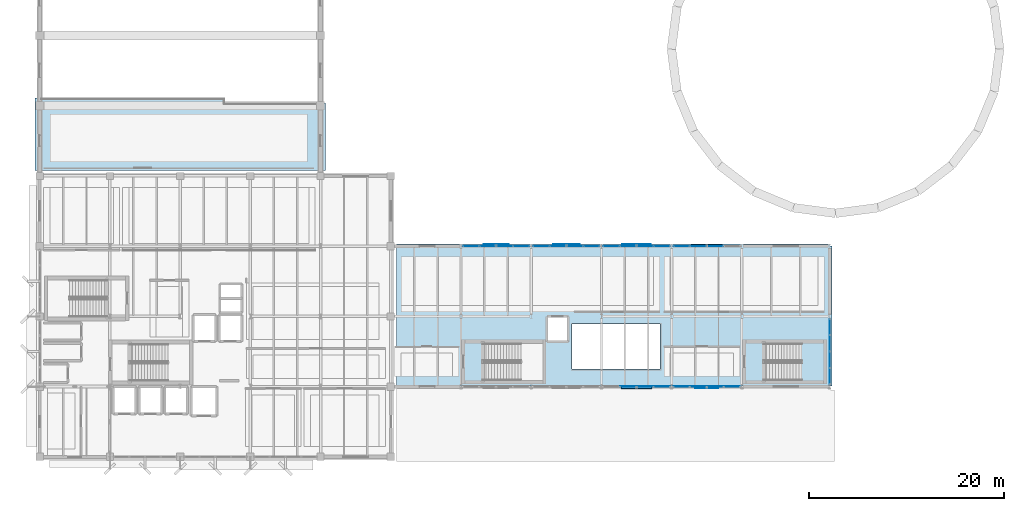
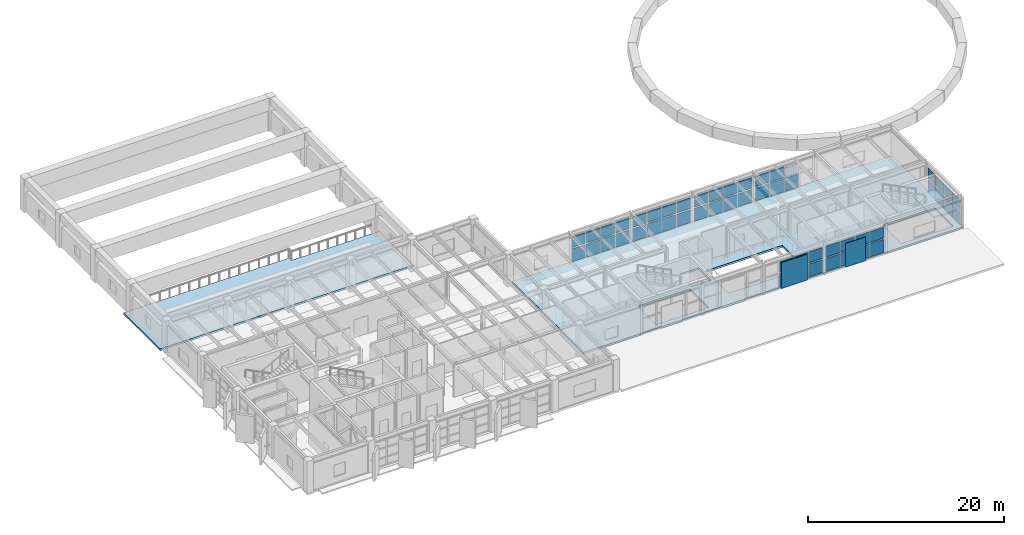
# One storey, part 24 of 37: 57 plates, 3 slabs, 8 elements without a shape of their own.
"""IFC4 building model written with IfcOpenShell, lengths in metres."""

from ifc_helpers import new_model, si_unit, direction, frame, origin, origin_2d, place, context, subcontext, project, spatial, polyline, rectangle, outline, extrude, material, layer, layer_set, type_object, element, aggregate, save


model = new_model("IFC4")

# Units and contexts
model_context = context("Model", 3, precision=1e-05, world=origin(), true_north=direction((0.0, 1.0)))
body_context = subcontext(model_context, "Body", "Model", "MODEL_VIEW")
ifc_project = project(units=[si_unit("LENGTHUNIT", "METRE"), si_unit("AREAUNIT", "SQUARE_METRE"), si_unit("VOLUMEUNIT", "CUBIC_METRE"), si_unit("PLANEANGLEUNIT", "RADIAN"), si_unit("MASSUNIT", "GRAM", prefix="KILO")], contexts=[model_context])

# Site, building, storey
site_placement = place(None, origin())
site = spatial("IfcSite", under=ifc_project, at=site_placement, CompositionType="ELEMENT")
building_placement = place(site_placement, origin())
building = spatial("IfcBuilding", under=site, at=building_placement, Name="Kandorven Conservatory and Botanical Research Centre", CompositionType="ELEMENT")
storey_placement = place(building_placement, frame((0.0, 0.0, 9.0)))
storey = spatial("IfcBuildingStorey", under=building, at=storey_placement, Name="L02", CompositionType="ELEMENT", Elevation=9.0)

# Curtain wall, plates
ifc_material_1 = material(Name="Bronze anodised thermally broken aluminium", Category="aluminium")
ifc_layer_1 = layer(ifc_material_1, 0.179931640625)
ifc_layer_set_1 = layer_set([ifc_layer_1], Name="Bronze anodised thermally broken aluminium")
curtain_wall_type = type_object("IfcCurtainWallType", Name="CW_Unitised", PredefinedType="USERDEFINED", material=ifc_layer_set_1)
curtain_wall_1_placement = place(storey_placement, origin())
curtain_wall_1 = element("IfcCurtainWall", 1, at=curtain_wall_1_placement, inside=storey, type_object=curtain_wall_type, Name="Visitor wing unitised curtain wall CW-VIS-S-L02-4", ObjectType="UNITISED GLAZING", PredefinedType="USERDEFINED")
ifc_material_2 = material(Name="Double-glazed solar-control low-E glass", Category="glass")
ifc_layer_2 = layer(ifc_material_2, 0.028076171875)
ifc_layer_set_2 = layer_set([ifc_layer_2], Name="Double-glazed solar-control low-E glass")
plate_type_1 = type_object("IfcPlateType", Name="CW_Panel", PredefinedType="CURTAIN_PANEL", material=ifc_layer_set_2)
plate_1_placement = place(storey_placement, frame((66.331298828125, 13.199951171875, 0.14990234375), z_axis=(0.0, 0.0, 1.0), x_axis=(1.0, 0.0, 0.0)))
plate_1 = element("IfcPlate", 2, at=plate_1_placement, type_object=plate_type_1, Name="CW-01 panel 2.1", PredefinedType="CURTAIN_PANEL", context=body_context, shape_type="SweptSolid", body=[
    extrude(rectangle(XDim=1.657470703125, YDim=0.028076171875, at=origin_2d()), origin(), (0.0, 0.0, 1.0), 1.625),
])
plate_2_placement = place(storey_placement, frame((66.331298828125, 13.199951171875, 1.9248046875), z_axis=(0.0, 0.0, 1.0), x_axis=(1.0, 0.0, 0.0)))
plate_2 = element("IfcPlate", 3, at=plate_2_placement, type_object=plate_type_1, Name="CW-01 panel 2.2", PredefinedType="CURTAIN_PANEL", context=body_context, shape_type="SweptSolid", body=[
    extrude(rectangle(XDim=1.657470703125, YDim=0.028076171875, at=origin_2d()), origin(), (0.0, 0.0, 1.0), 1.344970703125),
])
plate_3_placement = place(storey_placement, frame((68.06884765625, 13.199951171875, 0.14990234375), z_axis=(0.0, 0.0, 1.0), x_axis=(1.0, 0.0, 0.0)))
plate_3 = element("IfcPlate", 4, at=plate_3_placement, type_object=plate_type_1, Name="CW-01 panel 3.1", PredefinedType="CURTAIN_PANEL", context=body_context, shape_type="SweptSolid", body=[
    extrude(rectangle(XDim=1.657470703125, YDim=0.028076171875, at=origin_2d()), origin(), (0.0, 0.0, 1.0), 1.625),
])
plate_4_placement = place(storey_placement, frame((68.06884765625, 13.199951171875, 1.9248046875), z_axis=(0.0, 0.0, 1.0), x_axis=(1.0, 0.0, 0.0)))
plate_4 = element("IfcPlate", 5, at=plate_4_placement, type_object=plate_type_1, Name="CW-01 panel 3.2", PredefinedType="CURTAIN_PANEL", context=body_context, shape_type="SweptSolid", body=[
    extrude(rectangle(XDim=1.657470703125, YDim=0.028076171875, at=origin_2d()), origin(), (0.0, 0.0, 1.0), 1.344970703125),
])
plate_5_placement = place(storey_placement, frame((69.7861328125, 13.199951171875, 0.14990234375), z_axis=(0.0, 0.0, 1.0), x_axis=(1.0, 0.0, 0.0)))
plate_5 = element("IfcPlate", 6, at=plate_5_placement, type_object=plate_type_1, Name="CW-01 panel 4.1", PredefinedType="CURTAIN_PANEL", context=body_context, shape_type="SweptSolid", body=[
    extrude(rectangle(XDim=1.617431640625, YDim=0.028076171875, at=origin_2d()), origin(), (0.0, 0.0, 1.0), 1.625),
])
plate_6_placement = place(storey_placement, frame((69.7861328125, 13.199951171875, 1.9248046875), z_axis=(0.0, 0.0, 1.0), x_axis=(1.0, 0.0, 0.0)))
plate_6 = element("IfcPlate", 7, at=plate_6_placement, type_object=plate_type_1, Name="CW-01 panel 4.2", PredefinedType="CURTAIN_PANEL", context=body_context, shape_type="SweptSolid", body=[
    extrude(rectangle(XDim=1.617431640625, YDim=0.028076171875, at=origin_2d()), origin(), (0.0, 0.0, 1.0), 1.344970703125),
])
aggregate(curtain_wall_1, [plate_1, plate_2, plate_3, plate_4, plate_5, plate_6])

curtain_wall_2_placement = place(storey_placement, origin())
curtain_wall_2 = element("IfcCurtainWall", 8, at=curtain_wall_2_placement, inside=storey, type_object=curtain_wall_type, Name="Visitor wing unitised curtain wall CW-VIS-S-L02-5", ObjectType="UNITISED GLAZING", PredefinedType="USERDEFINED")
plate_7_placement = place(storey_placement, frame((71.813720703125, 13.199951171875, 0.14990234375), z_axis=(0.0, 0.0, 1.0), x_axis=(1.0, 0.0, 0.0)))
plate_7 = element("IfcPlate", 9, at=plate_7_placement, type_object=plate_type_1, Name="CW-01 panel 1.1", PredefinedType="CURTAIN_PANEL", context=body_context, shape_type="SweptSolid", body=[
    extrude(rectangle(XDim=1.617431640625, YDim=0.028076171875, at=origin_2d()), origin(), (0.0, 0.0, 1.0), 1.625),
])
plate_8_placement = place(storey_placement, frame((71.813720703125, 13.199951171875, 1.9248046875), z_axis=(0.0, 0.0, 1.0), x_axis=(1.0, 0.0, 0.0)))
plate_8 = element("IfcPlate", 10, at=plate_8_placement, type_object=plate_type_1, Name="CW-01 panel 1.2", PredefinedType="CURTAIN_PANEL", context=body_context, shape_type="SweptSolid", body=[
    extrude(rectangle(XDim=1.617431640625, YDim=0.028076171875, at=origin_2d()), origin(), (0.0, 0.0, 1.0), 1.344970703125),
])
plate_9_placement = place(storey_placement, frame((73.53125, 13.199951171875, 0.14990234375), z_axis=(0.0, 0.0, 1.0), x_axis=(1.0, 0.0, 0.0)))
plate_9 = element("IfcPlate", 11, at=plate_9_placement, type_object=plate_type_1, Name="CW-01 panel 2.1", PredefinedType="CURTAIN_PANEL", context=body_context, shape_type="SweptSolid", body=[
    extrude(rectangle(XDim=1.657470703125, YDim=0.028076171875, at=origin_2d()), origin(), (0.0, 0.0, 1.0), 1.625),
])
plate_10_placement = place(storey_placement, frame((73.53125, 13.199951171875, 1.9248046875), z_axis=(0.0, 0.0, 1.0), x_axis=(1.0, 0.0, 0.0)))
plate_10 = element("IfcPlate", 12, at=plate_10_placement, type_object=plate_type_1, Name="CW-01 panel 2.2", PredefinedType="CURTAIN_PANEL", context=body_context, shape_type="SweptSolid", body=[
    extrude(rectangle(XDim=1.657470703125, YDim=0.028076171875, at=origin_2d()), origin(), (0.0, 0.0, 1.0), 1.344970703125),
])
plate_11_placement = place(storey_placement, frame((75.268798828125, 13.199951171875, 0.14990234375), z_axis=(0.0, 0.0, 1.0), x_axis=(1.0, 0.0, 0.0)))
plate_11 = element("IfcPlate", 13, at=plate_11_placement, type_object=plate_type_1, Name="CW-01 panel 3.1", PredefinedType="CURTAIN_PANEL", context=body_context, shape_type="SweptSolid", body=[
    extrude(rectangle(XDim=1.657470703125, YDim=0.028076171875, at=origin_2d()), origin(), (0.0, 0.0, 1.0), 1.625),
])
plate_12_placement = place(storey_placement, frame((75.268798828125, 13.199951171875, 1.9248046875), z_axis=(0.0, 0.0, 1.0), x_axis=(1.0, 0.0, 0.0)))
plate_12 = element("IfcPlate", 14, at=plate_12_placement, type_object=plate_type_1, Name="CW-01 panel 3.2", PredefinedType="CURTAIN_PANEL", context=body_context, shape_type="SweptSolid", body=[
    extrude(rectangle(XDim=1.657470703125, YDim=0.028076171875, at=origin_2d()), origin(), (0.0, 0.0, 1.0), 1.344970703125),
])
plate_13_placement = place(storey_placement, frame((76.986328125, 13.199951171875, 0.14990234375), z_axis=(0.0, 0.0, 1.0), x_axis=(1.0, 0.0, 0.0)))
plate_13 = element("IfcPlate", 15, at=plate_13_placement, type_object=plate_type_1, Name="CW-01 panel 4.1", PredefinedType="CURTAIN_PANEL", context=body_context, shape_type="SweptSolid", body=[
    extrude(rectangle(XDim=1.617431640625, YDim=0.028076171875, at=origin_2d()), origin(), (0.0, 0.0, 1.0), 1.625),
])
plate_14_placement = place(storey_placement, frame((76.986328125, 13.199951171875, 1.9248046875), z_axis=(0.0, 0.0, 1.0), x_axis=(1.0, 0.0, 0.0)))
plate_14 = element("IfcPlate", 16, at=plate_14_placement, type_object=plate_type_1, Name="CW-01 panel 4.2", PredefinedType="CURTAIN_PANEL", context=body_context, shape_type="SweptSolid", body=[
    extrude(rectangle(XDim=1.617431640625, YDim=0.028076171875, at=origin_2d()), origin(), (0.0, 0.0, 1.0), 1.344970703125),
])
aggregate(curtain_wall_2, [plate_7, plate_8, plate_9, plate_10, plate_11, plate_12, plate_13, plate_14])

curtain_wall_3_placement = place(storey_placement, origin())
curtain_wall_3 = element("IfcCurtainWall", 17, at=curtain_wall_3_placement, inside=storey, type_object=curtain_wall_type, Name="Visitor wing unitised curtain wall CW-VIS-N-L02-2", ObjectType="UNITISED GLAZING", PredefinedType="USERDEFINED")
plate_15_placement = place(storey_placement, frame((50.2138671875, 27.60009765625, 0.14990234375), z_axis=(0.0, 0.0, 1.0), x_axis=(1.0, 0.0, 0.0)))
plate_15 = element("IfcPlate", 18, at=plate_15_placement, type_object=plate_type_1, Name="CW-01 panel 1.1", PredefinedType="CURTAIN_PANEL", context=body_context, shape_type="SweptSolid", body=[
    extrude(rectangle(XDim=1.617431640625, YDim=0.028076171875, at=origin_2d()), origin(), (0.0, 0.0, 1.0), 1.625),
])
plate_16_placement = place(storey_placement, frame((50.2138671875, 27.60009765625, 1.9248046875), z_axis=(0.0, 0.0, 1.0), x_axis=(1.0, 0.0, 0.0)))
plate_16 = element("IfcPlate", 19, at=plate_16_placement, type_object=plate_type_1, Name="CW-01 panel 1.2", PredefinedType="CURTAIN_PANEL", context=body_context, shape_type="SweptSolid", body=[
    extrude(rectangle(XDim=1.617431640625, YDim=0.028076171875, at=origin_2d()), origin(), (0.0, 0.0, 1.0), 1.344970703125),
])
plate_17_placement = place(storey_placement, frame((51.93115234375, 27.60009765625, 0.14990234375), z_axis=(0.0, 0.0, 1.0), x_axis=(1.0, 0.0, 0.0)))
plate_17 = element("IfcPlate", 20, at=plate_17_placement, type_object=plate_type_1, Name="CW-01 panel 2.1", PredefinedType="CURTAIN_PANEL", context=body_context, shape_type="SweptSolid", body=[
    extrude(rectangle(XDim=1.657470703125, YDim=0.028076171875, at=origin_2d()), origin(), (0.0, 0.0, 1.0), 1.625),
])
plate_18_placement = place(storey_placement, frame((51.93115234375, 27.60009765625, 1.9248046875), z_axis=(0.0, 0.0, 1.0), x_axis=(1.0, 0.0, 0.0)))
plate_18 = element("IfcPlate", 21, at=plate_18_placement, type_object=plate_type_1, Name="CW-01 panel 2.2", PredefinedType="CURTAIN_PANEL", context=body_context, shape_type="SweptSolid", body=[
    extrude(rectangle(XDim=1.657470703125, YDim=0.028076171875, at=origin_2d()), origin(), (0.0, 0.0, 1.0), 1.344970703125),
])
plate_19_placement = place(storey_placement, frame((53.668701171875, 27.60009765625, 0.14990234375), z_axis=(0.0, 0.0, 1.0), x_axis=(1.0, 0.0, 0.0)))
plate_19 = element("IfcPlate", 22, at=plate_19_placement, type_object=plate_type_1, Name="CW-01 panel 3.1", PredefinedType="CURTAIN_PANEL", context=body_context, shape_type="SweptSolid", body=[
    extrude(rectangle(XDim=1.657470703125, YDim=0.028076171875, at=origin_2d()), origin(), (0.0, 0.0, 1.0), 1.625),
])
plate_20_placement = place(storey_placement, frame((53.668701171875, 27.60009765625, 1.9248046875), z_axis=(0.0, 0.0, 1.0), x_axis=(1.0, 0.0, 0.0)))
plate_20 = element("IfcPlate", 23, at=plate_20_placement, type_object=plate_type_1, Name="CW-01 panel 3.2", PredefinedType="CURTAIN_PANEL", context=body_context, shape_type="SweptSolid", body=[
    extrude(rectangle(XDim=1.657470703125, YDim=0.028076171875, at=origin_2d()), origin(), (0.0, 0.0, 1.0), 1.344970703125),
])
plate_21_placement = place(storey_placement, frame((55.38623046875, 27.60009765625, 0.14990234375), z_axis=(0.0, 0.0, 1.0), x_axis=(1.0, 0.0, 0.0)))
plate_21 = element("IfcPlate", 24, at=plate_21_placement, type_object=plate_type_1, Name="CW-01 panel 4.1", PredefinedType="CURTAIN_PANEL", context=body_context, shape_type="SweptSolid", body=[
    extrude(rectangle(XDim=1.617431640625, YDim=0.028076171875, at=origin_2d()), origin(), (0.0, 0.0, 1.0), 1.625),
])
plate_22_placement = place(storey_placement, frame((55.38623046875, 27.60009765625, 1.9248046875), z_axis=(0.0, 0.0, 1.0), x_axis=(1.0, 0.0, 0.0)))
plate_22 = element("IfcPlate", 25, at=plate_22_placement, type_object=plate_type_1, Name="CW-01 panel 4.2", PredefinedType="CURTAIN_PANEL", context=body_context, shape_type="SweptSolid", body=[
    extrude(rectangle(XDim=1.617431640625, YDim=0.028076171875, at=origin_2d()), origin(), (0.0, 0.0, 1.0), 1.344970703125),
])
aggregate(curtain_wall_3, [plate_15, plate_16, plate_17, plate_18, plate_19, plate_20, plate_21, plate_22])

curtain_wall_4_placement = place(storey_placement, origin())
curtain_wall_4 = element("IfcCurtainWall", 26, at=curtain_wall_4_placement, inside=storey, type_object=curtain_wall_type, Name="Visitor wing unitised curtain wall CW-VIS-N-L02-3", ObjectType="UNITISED GLAZING", PredefinedType="USERDEFINED")
plate_23_placement = place(storey_placement, frame((57.413818359375, 27.60009765625, 0.14990234375), z_axis=(0.0, 0.0, 1.0), x_axis=(1.0, 0.0, 0.0)))
plate_23 = element("IfcPlate", 27, at=plate_23_placement, type_object=plate_type_1, Name="CW-01 panel 1.1", PredefinedType="CURTAIN_PANEL", context=body_context, shape_type="SweptSolid", body=[
    extrude(rectangle(XDim=1.617431640625, YDim=0.028076171875, at=origin_2d()), origin(), (0.0, 0.0, 1.0), 1.625),
])
plate_24_placement = place(storey_placement, frame((57.413818359375, 27.60009765625, 1.9248046875), z_axis=(0.0, 0.0, 1.0), x_axis=(1.0, 0.0, 0.0)))
plate_24 = element("IfcPlate", 28, at=plate_24_placement, type_object=plate_type_1, Name="CW-01 panel 1.2", PredefinedType="CURTAIN_PANEL", context=body_context, shape_type="SweptSolid", body=[
    extrude(rectangle(XDim=1.617431640625, YDim=0.028076171875, at=origin_2d()), origin(), (0.0, 0.0, 1.0), 1.344970703125),
])
plate_25_placement = place(storey_placement, frame((59.13134765625, 27.60009765625, 0.14990234375), z_axis=(0.0, 0.0, 1.0), x_axis=(1.0, 0.0, 0.0)))
plate_25 = element("IfcPlate", 29, at=plate_25_placement, type_object=plate_type_1, Name="CW-01 panel 2.1", PredefinedType="CURTAIN_PANEL", context=body_context, shape_type="SweptSolid", body=[
    extrude(rectangle(XDim=1.657470703125, YDim=0.028076171875, at=origin_2d()), origin(), (0.0, 0.0, 1.0), 1.625),
])
plate_26_placement = place(storey_placement, frame((59.13134765625, 27.60009765625, 1.9248046875), z_axis=(0.0, 0.0, 1.0), x_axis=(1.0, 0.0, 0.0)))
plate_26 = element("IfcPlate", 30, at=plate_26_placement, type_object=plate_type_1, Name="CW-01 panel 2.2", PredefinedType="CURTAIN_PANEL", context=body_context, shape_type="SweptSolid", body=[
    extrude(rectangle(XDim=1.657470703125, YDim=0.028076171875, at=origin_2d()), origin(), (0.0, 0.0, 1.0), 1.344970703125),
])
plate_27_placement = place(storey_placement, frame((60.86865234375, 27.60009765625, 0.14990234375), z_axis=(0.0, 0.0, 1.0), x_axis=(1.0, 0.0, 0.0)))
plate_27 = element("IfcPlate", 31, at=plate_27_placement, type_object=plate_type_1, Name="CW-01 panel 3.1", PredefinedType="CURTAIN_PANEL", context=body_context, shape_type="SweptSolid", body=[
    extrude(rectangle(XDim=1.657470703125, YDim=0.028076171875, at=origin_2d()), origin(), (0.0, 0.0, 1.0), 1.625),
])
plate_28_placement = place(storey_placement, frame((60.86865234375, 27.60009765625, 1.9248046875), z_axis=(0.0, 0.0, 1.0), x_axis=(1.0, 0.0, 0.0)))
plate_28 = element("IfcPlate", 32, at=plate_28_placement, type_object=plate_type_1, Name="CW-01 panel 3.2", PredefinedType="CURTAIN_PANEL", context=body_context, shape_type="SweptSolid", body=[
    extrude(rectangle(XDim=1.657470703125, YDim=0.028076171875, at=origin_2d()), origin(), (0.0, 0.0, 1.0), 1.344970703125),
])
plate_29_placement = place(storey_placement, frame((62.586181640625, 27.60009765625, 0.14990234375), z_axis=(0.0, 0.0, 1.0), x_axis=(1.0, 0.0, 0.0)))
plate_29 = element("IfcPlate", 33, at=plate_29_placement, type_object=plate_type_1, Name="CW-01 panel 4.1", PredefinedType="CURTAIN_PANEL", context=body_context, shape_type="SweptSolid", body=[
    extrude(rectangle(XDim=1.617431640625, YDim=0.028076171875, at=origin_2d()), origin(), (0.0, 0.0, 1.0), 1.625),
])
plate_30_placement = place(storey_placement, frame((62.586181640625, 27.60009765625, 1.9248046875), z_axis=(0.0, 0.0, 1.0), x_axis=(1.0, 0.0, 0.0)))
plate_30 = element("IfcPlate", 34, at=plate_30_placement, type_object=plate_type_1, Name="CW-01 panel 4.2", PredefinedType="CURTAIN_PANEL", context=body_context, shape_type="SweptSolid", body=[
    extrude(rectangle(XDim=1.617431640625, YDim=0.028076171875, at=origin_2d()), origin(), (0.0, 0.0, 1.0), 1.344970703125),
])
aggregate(curtain_wall_4, [plate_23, plate_24, plate_25, plate_26, plate_27, plate_28, plate_29, plate_30])

curtain_wall_5_placement = place(storey_placement, origin())
curtain_wall_5 = element("IfcCurtainWall", 35, at=curtain_wall_5_placement, inside=storey, type_object=curtain_wall_type, Name="Visitor wing unitised curtain wall CW-VIS-N-L02-4", ObjectType="UNITISED GLAZING", PredefinedType="USERDEFINED")
plate_31_placement = place(storey_placement, frame((64.61376953125, 27.60009765625, 0.14990234375), z_axis=(0.0, 0.0, 1.0), x_axis=(1.0, 0.0, 0.0)))
plate_31 = element("IfcPlate", 36, at=plate_31_placement, type_object=plate_type_1, Name="CW-01 panel 1.1", PredefinedType="CURTAIN_PANEL", context=body_context, shape_type="SweptSolid", body=[
    extrude(rectangle(XDim=1.617431640625, YDim=0.028076171875, at=origin_2d()), origin(), (0.0, 0.0, 1.0), 1.625),
])
plate_32_placement = place(storey_placement, frame((64.61376953125, 27.60009765625, 1.9248046875), z_axis=(0.0, 0.0, 1.0), x_axis=(1.0, 0.0, 0.0)))
plate_32 = element("IfcPlate", 37, at=plate_32_placement, type_object=plate_type_1, Name="CW-01 panel 1.2", PredefinedType="CURTAIN_PANEL", context=body_context, shape_type="SweptSolid", body=[
    extrude(rectangle(XDim=1.617431640625, YDim=0.028076171875, at=origin_2d()), origin(), (0.0, 0.0, 1.0), 1.344970703125),
])
plate_33_placement = place(storey_placement, frame((66.331298828125, 27.60009765625, 0.14990234375), z_axis=(0.0, 0.0, 1.0), x_axis=(1.0, 0.0, 0.0)))
plate_33 = element("IfcPlate", 38, at=plate_33_placement, type_object=plate_type_1, Name="CW-01 panel 2.1", PredefinedType="CURTAIN_PANEL", context=body_context, shape_type="SweptSolid", body=[
    extrude(rectangle(XDim=1.657470703125, YDim=0.028076171875, at=origin_2d()), origin(), (0.0, 0.0, 1.0), 1.625),
])
plate_34_placement = place(storey_placement, frame((66.331298828125, 27.60009765625, 1.9248046875), z_axis=(0.0, 0.0, 1.0), x_axis=(1.0, 0.0, 0.0)))
plate_34 = element("IfcPlate", 39, at=plate_34_placement, type_object=plate_type_1, Name="CW-01 panel 2.2", PredefinedType="CURTAIN_PANEL", context=body_context, shape_type="SweptSolid", body=[
    extrude(rectangle(XDim=1.657470703125, YDim=0.028076171875, at=origin_2d()), origin(), (0.0, 0.0, 1.0), 1.344970703125),
])
plate_35_placement = place(storey_placement, frame((68.06884765625, 27.60009765625, 0.14990234375), z_axis=(0.0, 0.0, 1.0), x_axis=(1.0, 0.0, 0.0)))
plate_35 = element("IfcPlate", 40, at=plate_35_placement, type_object=plate_type_1, Name="CW-01 panel 3.1", PredefinedType="CURTAIN_PANEL", context=body_context, shape_type="SweptSolid", body=[
    extrude(rectangle(XDim=1.657470703125, YDim=0.028076171875, at=origin_2d()), origin(), (0.0, 0.0, 1.0), 1.625),
])
plate_36_placement = place(storey_placement, frame((68.06884765625, 27.60009765625, 1.9248046875), z_axis=(0.0, 0.0, 1.0), x_axis=(1.0, 0.0, 0.0)))
plate_36 = element("IfcPlate", 41, at=plate_36_placement, type_object=plate_type_1, Name="CW-01 panel 3.2", PredefinedType="CURTAIN_PANEL", context=body_context, shape_type="SweptSolid", body=[
    extrude(rectangle(XDim=1.657470703125, YDim=0.028076171875, at=origin_2d()), origin(), (0.0, 0.0, 1.0), 1.344970703125),
])
plate_37_placement = place(storey_placement, frame((69.7861328125, 27.60009765625, 0.14990234375), z_axis=(0.0, 0.0, 1.0), x_axis=(1.0, 0.0, 0.0)))
plate_37 = element("IfcPlate", 42, at=plate_37_placement, type_object=plate_type_1, Name="CW-01 panel 4.1", PredefinedType="CURTAIN_PANEL", context=body_context, shape_type="SweptSolid", body=[
    extrude(rectangle(XDim=1.617431640625, YDim=0.028076171875, at=origin_2d()), origin(), (0.0, 0.0, 1.0), 1.625),
])
plate_38_placement = place(storey_placement, frame((69.7861328125, 27.60009765625, 1.9248046875), z_axis=(0.0, 0.0, 1.0), x_axis=(1.0, 0.0, 0.0)))
plate_38 = element("IfcPlate", 43, at=plate_38_placement, type_object=plate_type_1, Name="CW-01 panel 4.2", PredefinedType="CURTAIN_PANEL", context=body_context, shape_type="SweptSolid", body=[
    extrude(rectangle(XDim=1.617431640625, YDim=0.028076171875, at=origin_2d()), origin(), (0.0, 0.0, 1.0), 1.344970703125),
])
aggregate(curtain_wall_5, [plate_31, plate_32, plate_33, plate_34, plate_35, plate_36, plate_37, plate_38])

curtain_wall_6_placement = place(storey_placement, origin())
curtain_wall_6 = element("IfcCurtainWall", 44, at=curtain_wall_6_placement, inside=storey, type_object=curtain_wall_type, Name="Visitor wing unitised curtain wall CW-VIS-N-L02-5", ObjectType="UNITISED GLAZING", PredefinedType="USERDEFINED")
plate_39_placement = place(storey_placement, frame((71.813720703125, 27.60009765625, 0.14990234375), z_axis=(0.0, 0.0, 1.0), x_axis=(1.0, 0.0, 0.0)))
plate_39 = element("IfcPlate", 45, at=plate_39_placement, type_object=plate_type_1, Name="CW-01 panel 1.1", PredefinedType="CURTAIN_PANEL", context=body_context, shape_type="SweptSolid", body=[
    extrude(rectangle(XDim=1.617431640625, YDim=0.028076171875, at=origin_2d()), origin(), (0.0, 0.0, 1.0), 1.625),
])
plate_40_placement = place(storey_placement, frame((71.813720703125, 27.60009765625, 1.9248046875), z_axis=(0.0, 0.0, 1.0), x_axis=(1.0, 0.0, 0.0)))
plate_40 = element("IfcPlate", 46, at=plate_40_placement, type_object=plate_type_1, Name="CW-01 panel 1.2", PredefinedType="CURTAIN_PANEL", context=body_context, shape_type="SweptSolid", body=[
    extrude(rectangle(XDim=1.617431640625, YDim=0.028076171875, at=origin_2d()), origin(), (0.0, 0.0, 1.0), 1.344970703125),
])
plate_41_placement = place(storey_placement, frame((73.53125, 27.60009765625, 0.14990234375), z_axis=(0.0, 0.0, 1.0), x_axis=(1.0, 0.0, 0.0)))
plate_41 = element("IfcPlate", 47, at=plate_41_placement, type_object=plate_type_1, Name="CW-01 panel 2.1", PredefinedType="CURTAIN_PANEL", context=body_context, shape_type="SweptSolid", body=[
    extrude(rectangle(XDim=1.657470703125, YDim=0.028076171875, at=origin_2d()), origin(), (0.0, 0.0, 1.0), 1.625),
])
plate_42_placement = place(storey_placement, frame((73.53125, 27.60009765625, 1.9248046875), z_axis=(0.0, 0.0, 1.0), x_axis=(1.0, 0.0, 0.0)))
plate_42 = element("IfcPlate", 48, at=plate_42_placement, type_object=plate_type_1, Name="CW-01 panel 2.2", PredefinedType="CURTAIN_PANEL", context=body_context, shape_type="SweptSolid", body=[
    extrude(rectangle(XDim=1.657470703125, YDim=0.028076171875, at=origin_2d()), origin(), (0.0, 0.0, 1.0), 1.344970703125),
])
plate_43_placement = place(storey_placement, frame((75.268798828125, 27.60009765625, 0.14990234375), z_axis=(0.0, 0.0, 1.0), x_axis=(1.0, 0.0, 0.0)))
plate_43 = element("IfcPlate", 49, at=plate_43_placement, type_object=plate_type_1, Name="CW-01 panel 3.1", PredefinedType="CURTAIN_PANEL", context=body_context, shape_type="SweptSolid", body=[
    extrude(rectangle(XDim=1.657470703125, YDim=0.028076171875, at=origin_2d()), origin(), (0.0, 0.0, 1.0), 1.625),
])
aggregate(curtain_wall_6, [plate_39, plate_40, plate_41, plate_42, plate_43])

curtain_wall_7_placement = place(storey_placement, origin())
curtain_wall_7 = element("IfcCurtainWall", 50, at=curtain_wall_7_placement, inside=storey, type_object=curtain_wall_type, Name="Visitor wing east curtain wall CW-VIS-E-L02-1", ObjectType="UNITISED GLAZING", PredefinedType="USERDEFINED")
plate_44_placement = place(storey_placement, frame((87.0, 14.27001953125, 0.14990234375), z_axis=(0.0, 0.0, 1.0), x_axis=(0.0, 1.0, 0.0)))
plate_44 = element("IfcPlate", 51, at=plate_44_placement, type_object=plate_type_1, Name="CW-01 panel 1.1", PredefinedType="CURTAIN_PANEL", context=body_context, shape_type="SweptSolid", body=[
    extrude(rectangle(XDim=1.580078125, YDim=0.028076171875, at=origin_2d()), origin(), (0.0, 0.0, 1.0), 1.625),
])
plate_45_placement = place(storey_placement, frame((87.0, 14.27001953125, 1.9248046875), z_axis=(0.0, 0.0, 1.0), x_axis=(0.0, 1.0, 0.0)))
plate_45 = element("IfcPlate", 52, at=plate_45_placement, type_object=plate_type_1, Name="CW-01 panel 1.2", PredefinedType="CURTAIN_PANEL", context=body_context, shape_type="SweptSolid", body=[
    extrude(rectangle(XDim=1.580078125, YDim=0.028076171875, at=origin_2d()), origin(), (0.0, 0.0, 1.0), 1.344970703125),
])
plate_46_placement = place(storey_placement, frame((87.0, 15.949951171875, 0.14990234375), z_axis=(0.0, 0.0, 1.0), x_axis=(0.0, 1.0, 0.0)))
plate_46 = element("IfcPlate", 53, at=plate_46_placement, type_object=plate_type_1, Name="CW-01 panel 2.1", PredefinedType="CURTAIN_PANEL", context=body_context, shape_type="SweptSolid", body=[
    extrude(rectangle(XDim=1.6201171875, YDim=0.028076171875, at=origin_2d()), origin(), (0.0, 0.0, 1.0), 1.625),
])
plate_47_placement = place(storey_placement, frame((87.0, 15.949951171875, 1.9248046875), z_axis=(0.0, 0.0, 1.0), x_axis=(0.0, 1.0, 0.0)))
plate_47 = element("IfcPlate", 54, at=plate_47_placement, type_object=plate_type_1, Name="CW-01 panel 2.2", PredefinedType="CURTAIN_PANEL", context=body_context, shape_type="SweptSolid", body=[
    extrude(rectangle(XDim=1.6201171875, YDim=0.028076171875, at=origin_2d()), origin(), (0.0, 0.0, 1.0), 1.344970703125),
])
plate_48_placement = place(storey_placement, frame((87.0, 17.64990234375, 0.14990234375), z_axis=(0.0, 0.0, 1.0), x_axis=(0.0, 1.0, 0.0)))
plate_48 = element("IfcPlate", 55, at=plate_48_placement, type_object=plate_type_1, Name="CW-01 panel 3.1", PredefinedType="CURTAIN_PANEL", context=body_context, shape_type="SweptSolid", body=[
    extrude(rectangle(XDim=1.6201171875, YDim=0.028076171875, at=origin_2d()), origin(), (0.0, 0.0, 1.0), 1.625),
])
plate_49_placement = place(storey_placement, frame((87.0, 17.64990234375, 1.9248046875), z_axis=(0.0, 0.0, 1.0), x_axis=(0.0, 1.0, 0.0)))
plate_49 = element("IfcPlate", 56, at=plate_49_placement, type_object=plate_type_1, Name="CW-01 panel 3.2", PredefinedType="CURTAIN_PANEL", context=body_context, shape_type="SweptSolid", body=[
    extrude(rectangle(XDim=1.6201171875, YDim=0.028076171875, at=origin_2d()), origin(), (0.0, 0.0, 1.0), 1.344970703125),
])
plate_50_placement = place(storey_placement, frame((87.0, 19.330078125, 0.14990234375), z_axis=(0.0, 0.0, 1.0), x_axis=(0.0, 1.0, 0.0)))
plate_50 = element("IfcPlate", 57, at=plate_50_placement, type_object=plate_type_1, Name="CW-01 panel 4.1", PredefinedType="CURTAIN_PANEL", context=body_context, shape_type="SweptSolid", body=[
    extrude(rectangle(XDim=1.580078125, YDim=0.028076171875, at=origin_2d()), origin(), (0.0, 0.0, 1.0), 1.625),
])
plate_51_placement = place(storey_placement, frame((87.0, 19.330078125, 1.9248046875), z_axis=(0.0, 0.0, 1.0), x_axis=(0.0, 1.0, 0.0)))
plate_51 = element("IfcPlate", 58, at=plate_51_placement, type_object=plate_type_1, Name="CW-01 panel 4.2", PredefinedType="CURTAIN_PANEL", context=body_context, shape_type="SweptSolid", body=[
    extrude(rectangle(XDim=1.580078125, YDim=0.028076171875, at=origin_2d()), origin(), (0.0, 0.0, 1.0), 1.344970703125),
])
aggregate(curtain_wall_7, [plate_44, plate_45, plate_46, plate_47, plate_48, plate_49, plate_50, plate_51])

# Plates
ifc_material_3 = material(Name="Precast concrete C40/50 (M50)", Category="concrete")
ifc_layer_3 = layer(ifc_material_3, 0.10498046875)
ifc_layer_set_3 = layer_set([ifc_layer_3], Name="Precast concrete C40/50 (M50)")
plate_type_2 = type_object("IfcPlateType", Name="Jali_JP-12", PredefinedType="USERDEFINED", material=ifc_layer_set_3)
plate_52_placement = place(storey_placement, frame((67.199951171875, 13.06005859375, 0.0), z_axis=(0.0, 0.0, 1.0), x_axis=(1.0, 0.0, 0.0)))
element("IfcPlate", 59, at=plate_52_placement, inside=storey, type_object=plate_type_2, Name="Perforated precast concrete jali screen JP-12", ObjectType="JALI SCREEN", PredefinedType="USERDEFINED", context=body_context, shape_type="SweptSolid", body=[
    extrude(rectangle(XDim=3.10009765625, YDim=0.10498046875, at=origin_2d()), origin(), (0.0, 0.0, 1.0), 3.199951171875),
])
ifc_material_4 = material(Name="Precast concrete C40/50 (M50)", Category="concrete")
ifc_layer_4 = layer(ifc_material_4, 0.087890625)
ifc_layer_set_4 = layer_set([ifc_layer_4], Name="Precast concrete C40/50 (M50)")
plate_type_3 = type_object("IfcPlateType", Name="Jali_JP-13", PredefinedType="USERDEFINED", material=ifc_layer_set_4)
plate_53_placement = place(storey_placement, frame((74.39990234375, 13.06005859375, 0.0), z_axis=(0.0, 0.0, 1.0), x_axis=(1.0, 0.0, 0.0)))
element("IfcPlate", 60, at=plate_53_placement, inside=storey, type_object=plate_type_3, Name="Perforated precast concrete jali screen JP-13", ObjectType="JALI SCREEN", PredefinedType="USERDEFINED", context=body_context, shape_type="SweptSolid", body=[
    extrude(rectangle(XDim=2.35009765625, YDim=0.087890625, at=origin_2d()), origin(), (0.0, 0.0, 1.0), 2.949951171875),
])
ifc_material_5 = material(Name="Precast concrete C40/50 (M50)", Category="concrete")
ifc_layer_5 = layer(ifc_material_5, 0.092041015625)
ifc_layer_set_5 = layer_set([ifc_layer_5], Name="Precast concrete C40/50 (M50)")
plate_type_4 = type_object("IfcPlateType", Name="Jali_JP-14", PredefinedType="USERDEFINED", material=ifc_layer_set_5)
plate_54_placement = place(storey_placement, frame((52.800048828125, 27.739990234375, 0.0), z_axis=(0.0, 0.0, 1.0), x_axis=(1.0, 0.0, 0.0)))
element("IfcPlate", 61, at=plate_54_placement, inside=storey, type_object=plate_type_4, Name="Perforated precast concrete jali screen JP-14", ObjectType="JALI SCREEN", PredefinedType="USERDEFINED", context=body_context, shape_type="SweptSolid", body=[
    extrude(rectangle(XDim=2.550048828125, YDim=0.092041015625, at=origin_2d()), origin(), (0.0, 0.0, 1.0), 2.949951171875),
])
ifc_material_6 = material(Name="Precast concrete C40/50 (M50)", Category="concrete")
ifc_layer_6 = layer(ifc_material_6, 0.095947265625)
ifc_layer_set_6 = layer_set([ifc_layer_6], Name="Precast concrete C40/50 (M50)")
plate_type_5 = type_object("IfcPlateType", Name="Jali_JP-15", PredefinedType="USERDEFINED", material=ifc_layer_set_6)
plate_55_placement = place(storey_placement, frame((60.0, 27.739990234375, 0.0), z_axis=(0.0, 0.0, 1.0), x_axis=(1.0, 0.0, 0.0)))
element("IfcPlate", 62, at=plate_55_placement, inside=storey, type_object=plate_type_5, Name="Perforated precast concrete jali screen JP-15", ObjectType="JALI SCREEN", PredefinedType="USERDEFINED", context=body_context, shape_type="SweptSolid", body=[
    extrude(rectangle(XDim=2.699951171875, YDim=0.095947265625, at=origin_2d()), origin(), (0.0, 0.0, 1.0), 2.949951171875),
])
ifc_material_7 = material(Name="Precast concrete C40/50 (M50)", Category="concrete")
ifc_layer_7 = layer(ifc_material_7, 0.10205078125)
ifc_layer_set_7 = layer_set([ifc_layer_7], Name="Precast concrete C40/50 (M50)")
plate_type_6 = type_object("IfcPlateType", Name="Jali_JP-16", PredefinedType="USERDEFINED", material=ifc_layer_set_7)
plate_56_placement = place(storey_placement, frame((67.199951171875, 27.739990234375, 0.0), z_axis=(0.0, 0.0, 1.0), x_axis=(1.0, 0.0, 0.0)))
element("IfcPlate", 63, at=plate_56_placement, inside=storey, type_object=plate_type_6, Name="Perforated precast concrete jali screen JP-16", ObjectType="JALI SCREEN", PredefinedType="USERDEFINED", context=body_context, shape_type="SweptSolid", body=[
    extrude(rectangle(XDim=2.89990234375, YDim=0.10205078125, at=origin_2d()), origin(), (0.0, 0.0, 1.0), 2.949951171875),
])
ifc_material_8 = material(Name="Precast concrete C40/50 (M50)", Category="concrete")
ifc_layer_8 = layer(ifc_material_8, 0.10791015625)
ifc_layer_set_8 = layer_set([ifc_layer_8], Name="Precast concrete C40/50 (M50)")
plate_type_7 = type_object("IfcPlateType", Name="Jali_JP-17", PredefinedType="USERDEFINED", material=ifc_layer_set_8)
plate_57_placement = place(storey_placement, frame((74.39990234375, 27.739990234375, 0.0), z_axis=(0.0, 0.0, 1.0), x_axis=(1.0, 0.0, 0.0)))
element("IfcPlate", 64, at=plate_57_placement, inside=storey, type_object=plate_type_7, Name="Perforated precast concrete jali screen JP-17", ObjectType="JALI SCREEN", PredefinedType="USERDEFINED", context=body_context, shape_type="SweptSolid", body=[
    extrude(rectangle(XDim=3.050048828125, YDim=0.10791015625, at=origin_2d()), origin(), (0.0, 0.0, 1.0), 2.949951171875),
])

# Slabs
ifc_material_9 = material(Name="Concrete C32/40 (M40)", Category="concrete")
ifc_layer_9 = layer(ifc_material_9, 0.25)
ifc_layer_set_9 = layer_set([ifc_layer_9], Name="Concrete C32/40 (M40)")
slab_type_1 = type_object("IfcSlabType", Name="Slab_SL-06", PredefinedType="FLOOR", material=ifc_layer_set_9)
slab_1_placement = place(storey_placement, frame((0.0, 0.0, -0.25)))
element("IfcSlab", 65, at=slab_1_placement, inside=storey, type_object=slab_type_1, Name="Visitor and education wing L02 floor slab", PredefinedType="FLOOR", context=body_context, shape_type="SweptSolid", body=[
    extrude(outline(polyline([(42.56005859375, 13.260009765625), (87.239990234375, 13.260009765625), (87.239990234375, 27.6201171875), (87.02001953125, 27.6201171875), (87.02001953125, 27.840087890625), (42.56005859375, 27.840087890625), (42.56005859375, 13.260009765625)]), holes=[polyline([(51.43994140625, 13.85009765625), (57.580078125, 13.85009765625), (57.580078125, 17.639892578125), (51.43994140625, 17.639892578125), (51.43994140625, 13.85009765625)]), polyline([(80.239990234375, 13.85009765625), (86.3798828125, 13.85009765625), (86.3798828125, 17.639892578125), (80.239990234375, 17.639892578125), (80.239990234375, 13.85009765625)]), polyline([(58.0, 17.800048828125), (60.199951171875, 17.800048828125), (60.199951171875, 20.39990234375), (58.0, 20.39990234375), (58.0, 17.800048828125)]), polyline([(60.60009765625, 15.0), (69.60009765625, 15.0), (69.60009765625, 19.60009765625), (60.60009765625, 19.60009765625), (60.60009765625, 15.0)])]), origin(), (0.0, 0.0, 1.0), 0.25),
])
ifc_material_10 = material(Name="Concrete C32/40 (M40)", Category="concrete")
ifc_layer_10 = layer(ifc_material_10, 0.239990234375)
ifc_layer_set_10 = layer_set([ifc_layer_10], Name="Concrete C32/40 (M40)")
slab_type_2 = type_object("IfcSlabType", Name="Slab_SL-07", PredefinedType="FLOOR", material=ifc_layer_set_10)
slab_2_placement = place(storey_placement, frame((0.0, 0.0, -0.239990234375)))
element("IfcSlab", 66, at=slab_2_placement, inside=storey, type_object=slab_type_2, Name="Auditorium L02 broadcast and botanical film archive slab", PredefinedType="FLOOR", context=body_context, shape_type="SweptSolid", body=[
    extrude(outline(polyline([(5.5, 35.360107421875), (35.300048828125, 35.360107421875), (35.300048828125, 42.300048828125), (25.0, 42.300048828125), (25.0, 42.800048828125), (5.5, 42.800048828125), (5.5, 35.360107421875)])), origin(), (0.0, 0.0, 1.0), 0.239990234375),
])

# Stair, slab
ifc_material_11 = material(Name="Concrete C32/40 (M40)", Category="concrete")
stair_type = type_object("IfcStairType", Name="Stair_1820", PredefinedType="HALF_TURN_STAIR", material=ifc_material_11)
stair_placement = place(storey_placement, origin())
stair = element("IfcStair", 67, at=stair_placement, inside=storey, type_object=stair_type, Name="L02 Visitor Wing Stair ST-V3B", PredefinedType="HALF_TURN_STAIR")
ifc_material_12 = material(Name="Concrete C32/40 (M40)", Category="concrete")
ifc_layer_11 = layer(ifc_material_12, 0.199951171875)
ifc_layer_set_11 = layer_set([ifc_layer_11], Name="Concrete C32/40 (M40)")
slab_type_3 = type_object("IfcSlabType", Name="StairLanding_200", PredefinedType="LANDING", material=ifc_layer_set_11)
slab_3_placement = place(storey_placement, frame((0.0, 0.0, 1.89990234375)))
slab_3 = element("IfcSlab", 68, at=slab_3_placement, type_object=slab_type_3, Name="ST-V3B landing 1", PredefinedType="LANDING", context=body_context, shape_type="SweptSolid", body=[
    extrude(outline(polyline([(83.95947265625, 13.610107421875), (86.6201171875, 13.610107421875), (86.6201171875, 17.8798828125), (83.95947265625, 17.8798828125), (83.95947265625, 13.610107421875)])), origin(), (0.0, 0.0, 1.0), 0.2001953125),
])
aggregate(stair, [slab_3])

save(model, "model.ifc")
